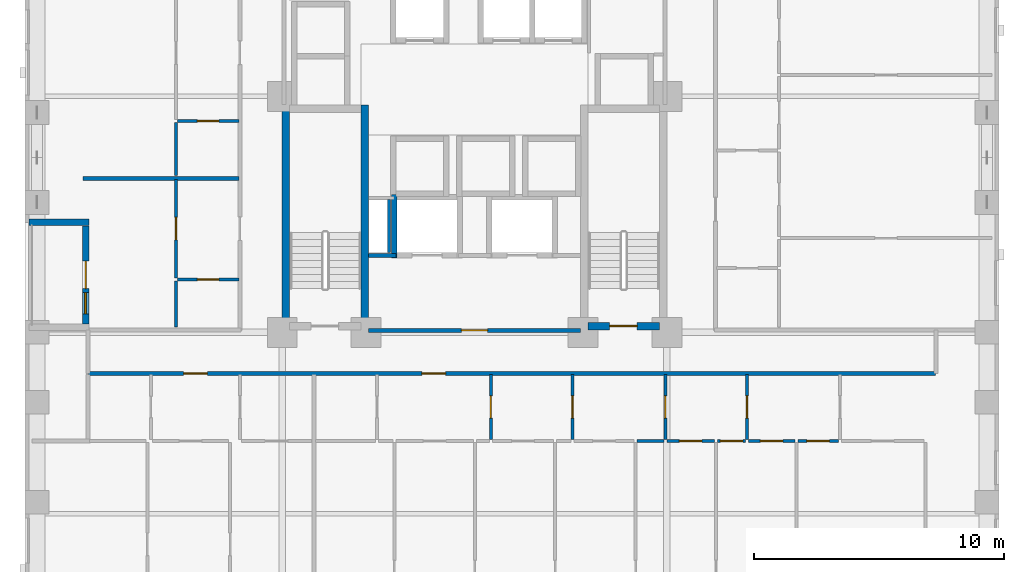
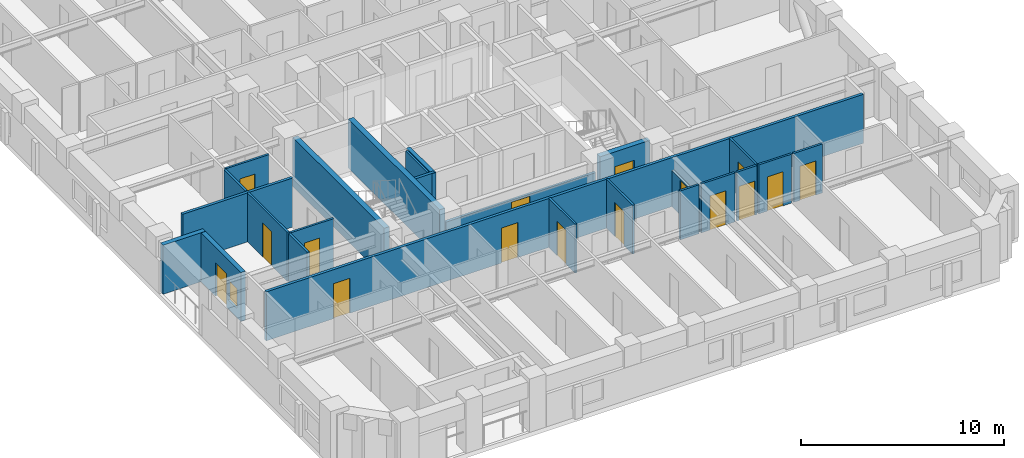
# One storey, part 4 of 14: 25 walls, 16 doors, 1 window, 17 openings.
"""IFC4 building model written with IfcOpenShell, lengths in metres."""

from ifc_helpers import new_model, si_unit, derived_unit, direction, frame, frame_2d, origin, place, context, subcontext, project, spatial, rectangle, extrude, material, layer, layer_set, type_object, element, fill, save


model = new_model("IFC4")

# Units and contexts
model_context = context("Model", 3, precision=1e-05, world=origin(), true_north=direction((0.0, 1.0)))
body_context = subcontext(model_context, "Body", "Model", "MODEL_VIEW")
ifc_project = project(units=[si_unit("LENGTHUNIT", "METRE"), si_unit("AREAUNIT", "SQUARE_METRE"), si_unit("VOLUMEUNIT", "CUBIC_METRE"), si_unit("PLANEANGLEUNIT", "RADIAN"), si_unit("MASSUNIT", "GRAM", prefix="KILO"), derived_unit("THERMALTRANSMITTANCEUNIT", [(si_unit("MASSUNIT", "GRAM", prefix="KILO"), 1), (si_unit("TIMEUNIT", "SECOND"), -3), (si_unit("THERMODYNAMICTEMPERATUREUNIT", "KELVIN"), -1)])], contexts=[model_context])

# Site, building, storey
site_placement = place(None, origin())
site = spatial("IfcSite", under=ifc_project, at=site_placement, CompositionType="ELEMENT")
building_placement = place(site_placement, origin())
building = spatial("IfcBuilding", under=site, at=building_placement, Name="Korrvale Station Residences", CompositionType="ELEMENT")
storey_placement = place(building_placement, frame((0.0, 0.0, 45.0)))
storey = spatial("IfcBuildingStorey", under=building, at=storey_placement, Name="L11", CompositionType="ELEMENT", Elevation=45.0)

# Walls
ifc_material_1 = material(Name="Concrete C70/85", Category="concrete")
ifc_layer_1 = layer(ifc_material_1, 0.300048828125, Name="Concrete C70/85")
ifc_layer_set_1 = layer_set([ifc_layer_1], Name="Concrete C70/85")
wall_type_1 = type_object("IfcWallType", Name="WAL-CORE-300-C70", PredefinedType="SHEAR", material=ifc_layer_set_1)
for number, where, z_axis, x_axis, name in (
    (1, (17.949951171875, 15.10009765625, 0.0), (0.0, 0.0, 1.0), (0.0, 1.0, 0.0), "L11 ST-1 Core Shear Wall West"),
    (2, (21.10009765625, 15.10009765625, 0.0), (0.0, 0.0, 1.0), (0.0, 1.0, 0.0), "L11 ST-1 Core Shear Wall East"),
):
    element("IfcWall", number, at=place(storey_placement, frame(where, z_axis=z_axis, x_axis=x_axis)), inside=storey, type_object=wall_type_1, Name=name, PredefinedType="SHEAR", context=body_context, shape_type="SweptSolid", body=[
        extrude(rectangle(XDim=9.0, YDim=0.300048828125, at=frame_2d((4.5, 0.0))), origin(), (0.0, 0.0, 1.0), 2.93994140625),
    ])

# Wall, opening, door
wall_1_placement = place(storey_placement, frame((30.050048828125, 15.25, 0.0), z_axis=(0.0, 0.0, 1.0), x_axis=(1.0, 0.0, 0.0)))
wall_1 = element("IfcWall", 3, at=wall_1_placement, inside=storey, type_object=wall_type_1, Name="L11 ST-2 Core Shear Wall South", PredefinedType="SHEAR", context=body_context, shape_type="SweptSolid", body=[
    extrude(rectangle(XDim=2.849853515625, YDim=0.300048828125, at=frame_2d((1.4248046875, 0.0))), origin(), (0.0, 0.0, 1.0), 2.93994140625),
])
opening_1_placement = place(wall_1_placement, frame((0.860107421875, 0.0, 0.0)))
opening_1 = element("IfcOpeningElement", 4, at=opening_1_placement, cuts=wall_1, Name="Opening SD-1100", PredefinedType="OPENING", context=body_context, shape_type="SweptSolid", body=[
    extrude(rectangle(XDim=1.10009765625, YDim=2.050048828125, at=frame_2d((0.550048828125, 1.02490234375))), frame((0.0, 0.16015625, 0.0), z_axis=(0.0, -1.0, 0.0), x_axis=(1.0, 0.0, 0.0)), (0.0, 0.0, 1.0), 0.320068359375),
])
ifc_material_2 = material(Name="Hollow-metal fire-rated stair door with closer", Category="steel")
door_type_1 = type_object("IfcDoorType", Name="DR-STAIR-1100", OperationType="NOTDEFINED", PredefinedType="DOOR", material=ifc_material_2)
door_1_placement = place(opening_1_placement, origin())
door_1 = element("IfcDoor", 5, at=door_1_placement, inside=storey, type_object=door_type_1, Name="L11 ST-2 Exit Stair Door", OperationType="SINGLE_SWING_RIGHT", OverallHeight=2.050048828125, OverallWidth=1.10009765625, PredefinedType="DOOR", context=body_context, shape_type="SweptSolid", body=[
    extrude(rectangle(XDim=1.10009765625, YDim=2.050048828125, at=frame_2d((0.550048828125, 1.02490234375))), frame((0.0, 0.02490234375, 0.0), z_axis=(0.0, -1.0, 0.0), x_axis=(1.0, 0.0, 0.0)), (0.0, 0.0, 1.0), 0.050048828125),
])
fill(opening_1, door_1)

# Wall, openings, door, window
ifc_material_3 = material(Name="Precast concrete C45/55", Category="concrete")
ifc_layer_2 = layer(ifc_material_3, 0.260009765625, Name="Precast concrete C45/55")
ifc_layer_set_2 = layer_set([ifc_layer_2], Name="Precast concrete C45/55")
wall_type_2 = type_object("IfcWallType", Name="WAL-EXT-LOG260", PredefinedType="SOLIDWALL", material=ifc_layer_set_2)
wall_2_placement = place(storey_placement, frame((9.929931640625, 15.333984375, 0.0), z_axis=(0.0, 0.0, 1.0), x_axis=(0.0, 1.0, 0.0)))
wall_2 = element("IfcWall", 6, at=wall_2_placement, inside=storey, type_object=wall_type_2, Name="L11 Recessed Loggia Wall BAL-L11-W1-B", PredefinedType="SOLIDWALL", context=body_context, shape_type="SweptSolid", body=[
    extrude(rectangle(XDim=3.93212890625, YDim=0.260009765625, at=frame_2d((1.966064453125, 0.0))), origin(), (0.0, 0.0, 1.0), 2.93994140625),
])
opening_2_placement = place(wall_2_placement, frame((1.416015625, 0.0, 0.0)))
opening_2 = element("IfcOpeningElement", 7, at=opening_2_placement, cuts=wall_2, Name="Opening BD-01", PredefinedType="OPENING", context=body_context, shape_type="SweptSolid", body=[
    extrude(rectangle(XDim=1.10009765625, YDim=2.0, at=frame_2d((0.550048828125, 1.0))), frame((0.0, 0.14013671875, 0.0), z_axis=(0.0, -1.0, 0.0), x_axis=(1.0, 0.0, 0.0)), (0.0, 0.0, 1.0), 0.280029296875),
])
opening_3_placement = place(wall_2_placement, frame((0.406005859375, 0.0, 0.550048828125)))
opening_3 = element("IfcOpeningElement", 8, at=opening_3_placement, cuts=wall_2, Name="Opening W-11", PredefinedType="OPENING", context=body_context, shape_type="SweptSolid", body=[
    extrude(rectangle(XDim=0.85009765625, YDim=1.199951171875, at=frame_2d((0.425048828125, 0.60009765625))), frame((0.0, 0.14013671875, 0.0), z_axis=(0.0, -1.0, 0.0), x_axis=(1.0, 0.0, 0.0)), (0.0, 0.0, 1.0), 0.280029296875),
])
ifc_material_4 = material(Name="Exterior thermally broken aluminium glazed balcony door", Category="aluminium")
door_type_2 = type_object("IfcDoorType", Name="DR-EXT-BAL", OperationType="NOTDEFINED", PredefinedType="DOOR", material=ifc_material_4)
door_2_placement = place(opening_2_placement, origin())
door_2 = element("IfcDoor", 9, at=door_2_placement, inside=storey, type_object=door_type_2, Name="L11 Loggia Balcony Door BAL-L11-W1", OperationType="SINGLE_SWING_RIGHT", OverallHeight=2.0, OverallWidth=1.10009765625, PredefinedType="DOOR", context=body_context, shape_type="SweptSolid", body=[
    extrude(rectangle(XDim=1.10009765625, YDim=2.0, at=frame_2d((0.550048828125, 1.0))), frame((0.0, 0.02490234375, 0.0), z_axis=(0.0, -1.0, 0.0), x_axis=(1.0, 0.0, 0.0)), (0.0, 0.0, 1.0), 0.050048828125),
])
fill(opening_2, door_2)
ifc_material_5 = material(Name="Thermally broken aluminium frame with triple low-e glazing", Category="aluminium")
window_type = type_object("IfcWindowType", Name="WIN-W11", PartitioningType="SINGLE_PANEL", PredefinedType="WINDOW", material=ifc_material_5)
window_placement = place(opening_3_placement, origin())
window = element("IfcWindow", 10, at=window_placement, inside=storey, type_object=window_type, Name="L11 Punched Window 25", OverallHeight=1.199951171875, OverallWidth=0.85009765625, PartitioningType="SINGLE_PANEL", PredefinedType="WINDOW", context=body_context, shape_type="SweptSolid", body=[
    extrude(rectangle(XDim=0.85009765625, YDim=1.199951171875, at=frame_2d((0.425048828125, 0.60009765625))), frame((0.0, 0.030029296875, 0.0), z_axis=(0.0, -1.0, 0.0), x_axis=(1.0, 0.0, 0.0)), (0.0, 0.0, 1.0), 0.06005859375),
])
fill(opening_3, window)

# Walls
wall_3_placement = place(storey_placement, frame((10.06005859375, 19.39990234375, 0.0), z_axis=(0.0, 0.0, 1.0), x_axis=(-1.0, 0.0, 0.0)))
element("IfcWall", 11, at=wall_3_placement, inside=storey, type_object=wall_type_2, Name="L11 Recessed Loggia Wall BAL-L11-W1-R", PredefinedType="SOLIDWALL", context=body_context, shape_type="SweptSolid", body=[
    extrude(rectangle(XDim=2.400146484375, YDim=0.260009765625, at=frame_2d((1.2001953125, 0.0))), origin(), (0.0, 0.0, 1.0), 2.93994140625),
])
ifc_material_6 = material(Name="Acoustic steel-stud gypsum board partition", Category="steel")
ifc_layer_3 = layer(ifc_material_6, 0.1201171875, Name="Acoustic steel-stud gypsum board partition")
ifc_layer_set_3 = layer_set([ifc_layer_3], Name="Acoustic steel-stud gypsum board partition")
wall_type_3 = type_object("IfcWallType", Name="WAL-PART-125", PredefinedType="PARTITIONING", material=ifc_layer_set_3)
wall_4_placement = place(storey_placement, frame((22.080078125, 18.199951171875, 0.0), z_axis=(0.0, 0.0, 1.0), x_axis=(0.0, 1.0, 0.0)))
element("IfcWall", 12, at=wall_4_placement, inside=storey, type_object=wall_type_3, Name="L11 Core Partition CW-RSWT", PredefinedType="PARTITIONING", context=body_context, shape_type="SweptSolid", body=[
    extrude(rectangle(XDim=2.1201171875, YDim=0.1201171875, at=frame_2d((1.06005859375, 0.0))), origin(), (0.0, 0.0, 1.0), 2.93994140625),
])

# Wall, opening, door
wall_5_placement = place(storey_placement, frame((26.14990234375, 10.7099609375, 0.0), z_axis=(0.0, 0.0, 1.0), x_axis=(0.0, 1.0, 0.0)))
wall_5 = element("IfcWall", 13, at=wall_5_placement, inside=storey, type_object=wall_type_3, Name="L11 Suite Partition U02-V12", PredefinedType="PARTITIONING", context=body_context, shape_type="SweptSolid", body=[
    extrude(rectangle(XDim=2.60009765625, YDim=0.1201171875, at=frame_2d((1.300048828125, 0.0))), origin(), (0.0, 0.0, 1.0), 2.93994140625),
])
opening_4_placement = place(wall_5_placement, frame((0.85009765625, 0.0, 0.0)))
opening_4 = element("IfcOpeningElement", 14, at=opening_4_placement, cuts=wall_5, Name="Opening DI-900", PredefinedType="OPENING", context=body_context, shape_type="SweptSolid", body=[
    extrude(rectangle(XDim=0.89990234375, YDim=2.050048828125, at=frame_2d((0.449951171875, 1.02490234375))), frame((0.0, 0.070068359375, 0.0), z_axis=(0.0, -1.0, 0.0), x_axis=(1.0, 0.0, 0.0)), (0.0, 0.0, 1.0), 0.14013671875),
])
ifc_material_7 = material(Name="Painted solid-core timber interior room door", Category="wood")
door_type_3 = type_object("IfcDoorType", Name="DR-INT-900", OperationType="NOTDEFINED", PredefinedType="DOOR", material=ifc_material_7)
door_3_placement = place(opening_4_placement, origin())
door_3 = element("IfcDoor", 15, at=door_3_placement, inside=storey, type_object=door_type_3, Name="L11 Studio Apartment L11-U02 Kitchen Door", OperationType="SINGLE_SWING_RIGHT", OverallHeight=2.050048828125, OverallWidth=0.89990234375, PredefinedType="DOOR", context=body_context, shape_type="SweptSolid", body=[
    extrude(rectangle(XDim=0.89990234375, YDim=2.050048828125, at=frame_2d((0.449951171875, 1.02490234375))), frame((0.0, 0.02490234375, 0.0), z_axis=(0.0, -1.0, 0.0), x_axis=(1.0, 0.0, 0.0)), (0.0, 0.0, 1.0), 0.050048828125),
])
fill(opening_4, door_3)

wall_6_placement = place(storey_placement, frame((29.419921875, 10.7099609375, 0.0), z_axis=(0.0, 0.0, 1.0), x_axis=(0.0, 1.0, 0.0)))
wall_6 = element("IfcWall", 16, at=wall_6_placement, inside=storey, type_object=wall_type_3, Name="L11 Suite Partition U02-V23", PredefinedType="PARTITIONING", context=body_context, shape_type="SweptSolid", body=[
    extrude(rectangle(XDim=2.60009765625, YDim=0.1201171875, at=frame_2d((1.300048828125, 0.0))), origin(), (0.0, 0.0, 1.0), 2.93994140625),
])
opening_5_placement = place(wall_6_placement, frame((0.85009765625, 0.0, 0.0)))
opening_5 = element("IfcOpeningElement", 17, at=opening_5_placement, cuts=wall_6, Name="Opening DI-900", PredefinedType="OPENING", context=body_context, shape_type="SweptSolid", body=[
    extrude(rectangle(XDim=0.89990234375, YDim=2.050048828125, at=frame_2d((0.449951171875, 1.02490234375))), frame((0.0, 0.070068359375, 0.0), z_axis=(0.0, -1.0, 0.0), x_axis=(1.0, 0.0, 0.0)), (0.0, 0.0, 1.0), 0.14013671875),
])
door_4_placement = place(opening_5_placement, origin())
door_4 = element("IfcDoor", 18, at=door_4_placement, inside=storey, type_object=door_type_3, Name="L11 Studio Apartment L11-U02 Utility and Laundry Room Door", OperationType="SINGLE_SWING_RIGHT", OverallHeight=2.050048828125, OverallWidth=0.89990234375, PredefinedType="DOOR", context=body_context, shape_type="SweptSolid", body=[
    extrude(rectangle(XDim=0.89990234375, YDim=2.050048828125, at=frame_2d((0.449951171875, 1.02490234375))), frame((0.0, 0.02490234375, 0.0), z_axis=(0.0, -1.0, 0.0), x_axis=(1.0, 0.0, 0.0)), (0.0, 0.0, 1.0), 0.050048828125),
])
fill(opening_5, door_4)

wall_7_placement = place(storey_placement, frame((33.139892578125, 10.7099609375, 0.0), z_axis=(0.0, 0.0, 1.0), x_axis=(0.0, 1.0, 0.0)))
wall_7 = element("IfcWall", 19, at=wall_7_placement, inside=storey, type_object=wall_type_3, Name="L11 Suite Partition U02-V34", PredefinedType="PARTITIONING", context=body_context, shape_type="SweptSolid", body=[
    extrude(rectangle(XDim=2.60009765625, YDim=0.1201171875, at=frame_2d((1.300048828125, 0.0))), origin(), (0.0, 0.0, 1.0), 2.155029296875),
])
opening_6_placement = place(wall_7_placement, frame((0.85009765625, 0.0, 0.0)))
opening_6 = element("IfcOpeningElement", 20, at=opening_6_placement, cuts=wall_7, Name="Opening DI-900", PredefinedType="OPENING", context=body_context, shape_type="SweptSolid", body=[
    extrude(rectangle(XDim=0.89990234375, YDim=2.050048828125, at=frame_2d((0.449951171875, 1.02490234375))), frame((0.0, 0.070068359375, 0.0), z_axis=(0.0, -1.0, 0.0), x_axis=(1.0, 0.0, 0.0)), (0.0, 0.0, 1.0), 0.14013671875),
])
door_5_placement = place(opening_6_placement, origin())
door_5 = element("IfcDoor", 21, at=door_5_placement, inside=storey, type_object=door_type_3, Name="L11 Studio Apartment L11-U02 Storage Closet 2 Door", OperationType="SINGLE_SWING_RIGHT", OverallHeight=2.050048828125, OverallWidth=0.89990234375, PredefinedType="DOOR", context=body_context, shape_type="SweptSolid", body=[
    extrude(rectangle(XDim=0.89990234375, YDim=2.050048828125, at=frame_2d((0.449951171875, 1.02490234375))), frame((0.0, 0.02490234375, 0.0), z_axis=(0.0, -1.0, 0.0), x_axis=(1.0, 0.0, 0.0)), (0.0, 0.0, 1.0), 0.050048828125),
])
fill(opening_6, door_5)

# Wall
wall_8_placement = place(storey_placement, frame((32.010009765625, 10.64990234375, 0.0), z_axis=(0.0, 0.0, 1.0), x_axis=(1.0, 0.0, 0.0)))
element("IfcWall", 22, at=wall_8_placement, inside=storey, type_object=wall_type_3, Name="L11 Suite Partition U02-H311", PredefinedType="PARTITIONING", context=body_context, shape_type="SweptSolid", body=[
    extrude(rectangle(XDim=1.070068359375, YDim=0.1201171875, at=frame_2d((0.53515625, 0.0))), origin(), (0.0, 0.0, 1.0), 2.93994140625),
])

# Wall, opening, door
wall_9_placement = place(storey_placement, frame((36.409912109375, 10.7099609375, 0.0), z_axis=(0.0, 0.0, 1.0), x_axis=(0.0, 1.0, 0.0)))
wall_9 = element("IfcWall", 23, at=wall_9_placement, inside=storey, type_object=wall_type_3, Name="L11 Suite Partition U02-V45", PredefinedType="PARTITIONING", context=body_context, shape_type="SweptSolid", body=[
    extrude(rectangle(XDim=2.60009765625, YDim=0.1201171875, at=frame_2d((1.300048828125, 0.0))), origin(), (0.0, 0.0, 1.0), 2.93994140625),
])
opening_7_placement = place(wall_9_placement, frame((0.85009765625, 0.0, 0.0)))
opening_7 = element("IfcOpeningElement", 24, at=opening_7_placement, cuts=wall_9, Name="Opening DI-900", PredefinedType="OPENING", context=body_context, shape_type="SweptSolid", body=[
    extrude(rectangle(XDim=0.89990234375, YDim=2.050048828125, at=frame_2d((0.449951171875, 1.02490234375))), frame((0.0, 0.070068359375, 0.0), z_axis=(0.0, -1.0, 0.0), x_axis=(1.0, 0.0, 0.0)), (0.0, 0.0, 1.0), 0.14013671875),
])
door_6_placement = place(opening_7_placement, origin())
door_6 = element("IfcDoor", 25, at=door_6_placement, inside=storey, type_object=door_type_3, Name="L11 Studio Apartment L11-U02 Storage Closet 3 Door", OperationType="SINGLE_SWING_RIGHT", OverallHeight=2.050048828125, OverallWidth=0.89990234375, PredefinedType="DOOR", context=body_context, shape_type="SweptSolid", body=[
    extrude(rectangle(XDim=0.89990234375, YDim=2.050048828125, at=frame_2d((0.449951171875, 1.02490234375))), frame((0.0, 0.02490234375, 0.0), z_axis=(0.0, -1.0, 0.0), x_axis=(1.0, 0.0, 0.0)), (0.0, 0.0, 1.0), 0.050048828125),
])
fill(opening_7, door_6)

wall_10_placement = place(storey_placement, frame((33.199951171875, 10.64990234375, 0.0), z_axis=(0.0, 0.0, 1.0), x_axis=(1.0, 0.0, 0.0)))
wall_10 = element("IfcWall", 26, at=wall_10_placement, inside=storey, type_object=wall_type_3, Name="L11 Suite Partition U02-H411", PredefinedType="PARTITIONING", context=body_context, shape_type="SweptSolid", body=[
    extrude(rectangle(XDim=1.91015625, YDim=0.1201171875, at=frame_2d((0.955078125, 0.0))), origin(), (0.0, 0.0, 1.0), 2.93994140625),
])
opening_8_placement = place(wall_10_placement, frame((0.5048828125, 0.0, 0.0)))
opening_8 = element("IfcOpeningElement", 27, at=opening_8_placement, cuts=wall_10, Name="Opening DI-900", PredefinedType="OPENING", context=body_context, shape_type="SweptSolid", body=[
    extrude(rectangle(XDim=0.89990234375, YDim=2.050048828125, at=frame_2d((0.449951171875, 1.02490234375))), frame((0.0, 0.070068359375, 0.0), z_axis=(0.0, -1.0, 0.0), x_axis=(1.0, 0.0, 0.0)), (0.0, 0.0, 1.0), 0.14013671875),
])
door_7_placement = place(opening_8_placement, origin())
door_7 = element("IfcDoor", 28, at=door_7_placement, inside=storey, type_object=door_type_3, Name="L11 Studio Apartment L11-U02 Storage Closet 3 Door", OperationType="SINGLE_SWING_LEFT", OverallHeight=2.050048828125, OverallWidth=0.89990234375, PredefinedType="DOOR", context=body_context, shape_type="SweptSolid", body=[
    extrude(rectangle(XDim=0.89990234375, YDim=2.050048828125, at=frame_2d((0.449951171875, 1.02490234375))), frame((0.0, 0.02490234375, 0.0), z_axis=(0.0, -1.0, 0.0), x_axis=(1.0, 0.0, 0.0)), (0.0, 0.0, 1.0), 0.050048828125),
])
fill(opening_8, door_7)

wall_11_placement = place(storey_placement, frame((35.22998046875, 10.64990234375, 0.0), z_axis=(0.0, 0.0, 1.0), x_axis=(1.0, 0.0, 0.0)))
wall_11 = element("IfcWall", 29, at=wall_11_placement, inside=storey, type_object=wall_type_3, Name="L11 Suite Partition U02-H412", PredefinedType="PARTITIONING", context=body_context, shape_type="SweptSolid", body=[
    extrude(rectangle(XDim=1.1201171875, YDim=0.1201171875, at=frame_2d((0.56005859375, 0.0))), origin(), (0.0, 0.0, 1.0), 2.93994140625),
])
opening_9_placement = place(wall_11_placement, frame((0.110107421875, 0.0, 0.0)))
opening_9 = element("IfcOpeningElement", 30, at=opening_9_placement, cuts=wall_11, Name="Opening DI-900", PredefinedType="OPENING", context=body_context, shape_type="SweptSolid", body=[
    extrude(rectangle(XDim=0.89990234375, YDim=2.050048828125, at=frame_2d((0.449951171875, 1.02490234375))), frame((0.0, 0.070068359375, 0.0), z_axis=(0.0, -1.0, 0.0), x_axis=(1.0, 0.0, 0.0)), (0.0, 0.0, 1.0), 0.14013671875),
])
door_8_placement = place(opening_9_placement, origin())
door_8 = element("IfcDoor", 31, at=door_8_placement, inside=storey, type_object=door_type_3, Name="L11 Studio Apartment L11-U02 Storage Closet 3 Door", OperationType="SINGLE_SWING_RIGHT", OverallHeight=2.050048828125, OverallWidth=0.89990234375, PredefinedType="DOOR", context=body_context, shape_type="SweptSolid", body=[
    extrude(rectangle(XDim=0.89990234375, YDim=2.050048828125, at=frame_2d((0.449951171875, 1.02490234375))), frame((0.0, 0.02490234375, 0.0), z_axis=(0.0, -1.0, 0.0), x_axis=(1.0, 0.0, 0.0)), (0.0, 0.0, 1.0), 0.050048828125),
])
fill(opening_9, door_8)

wall_12_placement = place(storey_placement, frame((36.469970703125, 10.64990234375, 0.0), z_axis=(0.0, 0.0, 1.0), x_axis=(1.0, 0.0, 0.0)))
wall_12 = element("IfcWall", 32, at=wall_12_placement, inside=storey, type_object=wall_type_3, Name="L11 Suite Partition U02-H512", PredefinedType="PARTITIONING", context=body_context, shape_type="SweptSolid", body=[
    extrude(rectangle(XDim=1.860107421875, YDim=0.1201171875, at=frame_2d((0.93017578125, 0.0))), origin(), (0.0, 0.0, 1.0), 2.93994140625),
])
opening_10_placement = place(wall_12_placement, frame((0.47998046875, 0.0, 0.0)))
opening_10 = element("IfcOpeningElement", 33, at=opening_10_placement, cuts=wall_12, Name="Opening DI-900", PredefinedType="OPENING", context=body_context, shape_type="SweptSolid", body=[
    extrude(rectangle(XDim=0.89990234375, YDim=2.050048828125, at=frame_2d((0.449951171875, 1.02490234375))), frame((0.0, 0.070068359375, 0.0), z_axis=(0.0, -1.0, 0.0), x_axis=(1.0, 0.0, 0.0)), (0.0, 0.0, 1.0), 0.14013671875),
])
door_9_placement = place(opening_10_placement, origin())
door_9 = element("IfcDoor", 34, at=door_9_placement, inside=storey, type_object=door_type_3, Name="L11 Studio Apartment L11-U02 Storage Closet 4 Door", OperationType="SINGLE_SWING_RIGHT", OverallHeight=2.050048828125, OverallWidth=0.89990234375, PredefinedType="DOOR", context=body_context, shape_type="SweptSolid", body=[
    extrude(rectangle(XDim=0.89990234375, YDim=2.050048828125, at=frame_2d((0.449951171875, 1.02490234375))), frame((0.0, 0.02490234375, 0.0), z_axis=(0.0, -1.0, 0.0), x_axis=(1.0, 0.0, 0.0)), (0.0, 0.0, 1.0), 0.050048828125),
])
fill(opening_10, door_9)

wall_13_placement = place(storey_placement, frame((38.449951171875, 10.64990234375, 0.0), z_axis=(0.0, 0.0, 1.0), x_axis=(1.0, 0.0, 0.0)))
wall_13 = element("IfcWall", 35, at=wall_13_placement, inside=storey, type_object=wall_type_3, Name="L11 Suite Partition U02-H513", PredefinedType="PARTITIONING", context=body_context, shape_type="SweptSolid", body=[
    extrude(rectangle(XDim=1.6201171875, YDim=0.1201171875, at=frame_2d((0.81005859375, 0.0))), origin(), (0.0, 0.0, 1.0), 2.93994140625),
])
opening_11_placement = place(wall_13_placement, frame((0.360107421875, 0.0, 0.0)))
opening_11 = element("IfcOpeningElement", 36, at=opening_11_placement, cuts=wall_13, Name="Opening DI-900", PredefinedType="OPENING", context=body_context, shape_type="SweptSolid", body=[
    extrude(rectangle(XDim=0.89990234375, YDim=2.050048828125, at=frame_2d((0.449951171875, 1.02490234375))), frame((0.0, 0.070068359375, 0.0), z_axis=(0.0, -1.0, 0.0), x_axis=(1.0, 0.0, 0.0)), (0.0, 0.0, 1.0), 0.14013671875),
])
door_10_placement = place(opening_11_placement, origin())
door_10 = element("IfcDoor", 37, at=door_10_placement, inside=storey, type_object=door_type_3, Name="L11 Studio Apartment L11-U02 Storage Closet 4 Door", OperationType="SINGLE_SWING_LEFT", OverallHeight=2.050048828125, OverallWidth=0.89990234375, PredefinedType="DOOR", context=body_context, shape_type="SweptSolid", body=[
    extrude(rectangle(XDim=0.89990234375, YDim=2.050048828125, at=frame_2d((0.449951171875, 1.02490234375))), frame((0.0, 0.02490234375, 0.0), z_axis=(0.0, -1.0, 0.0), x_axis=(1.0, 0.0, 0.0)), (0.0, 0.0, 1.0), 0.050048828125),
])
fill(opening_11, door_10)

wall_14_placement = place(storey_placement, frame((13.610107421875, 17.1201171875, 0.0), z_axis=(0.0, 0.0, 1.0), x_axis=(1.0, 0.0, 0.0)))
wall_14 = element("IfcWall", 38, at=wall_14_placement, inside=storey, type_object=wall_type_3, Name="L11 Suite Partition U04-H01", PredefinedType="PARTITIONING", context=body_context, shape_type="SweptSolid", body=[
    extrude(rectangle(XDim=2.449951171875, YDim=0.1201171875, at=frame_2d((1.22509765625, 0.0))), origin(), (0.0, 0.0, 1.0), 2.93994140625),
])
opening_12_placement = place(wall_14_placement, frame((0.794921875, 0.0, 0.0)))
opening_12 = element("IfcOpeningElement", 39, at=opening_12_placement, cuts=wall_14, Name="Opening DB-860", PredefinedType="OPENING", context=body_context, shape_type="SweptSolid", body=[
    extrude(rectangle(XDim=0.860107421875, YDim=2.050048828125, at=frame_2d((0.43017578125, 1.02490234375))), frame((0.0, 0.070068359375, 0.0), z_axis=(0.0, -1.0, 0.0), x_axis=(1.0, 0.0, 0.0)), (0.0, 0.0, 1.0), 0.14013671875),
])
ifc_material_8 = material(Name="Moisture-resistant solid-core bathroom door", Category="timber")
door_type_4 = type_object("IfcDoorType", Name="DR-BATH-860", OperationType="NOTDEFINED", PredefinedType="DOOR", material=ifc_material_8)
door_11_placement = place(opening_12_placement, origin())
door_11 = element("IfcDoor", 40, at=door_11_placement, inside=storey, type_object=door_type_4, Name="L11 Studio Apartment L11-U04 Bathroom Door", OperationType="SINGLE_SWING_LEFT", OverallHeight=2.050048828125, OverallWidth=0.860107421875, PredefinedType="DOOR", context=body_context, shape_type="SweptSolid", body=[
    extrude(rectangle(XDim=0.860107421875, YDim=2.050048828125, at=frame_2d((0.43017578125, 1.02490234375))), frame((0.0, 0.02490234375, 0.0), z_axis=(0.0, -1.0, 0.0), x_axis=(1.0, 0.0, 0.0)), (0.0, 0.0, 1.0), 0.050048828125),
])
fill(opening_12, door_11)

# Wall
wall_15_placement = place(storey_placement, frame((13.550048828125, 15.2099609375, 0.0), z_axis=(0.0, 0.0, 1.0), x_axis=(0.0, 1.0, 0.0)))
element("IfcWall", 41, at=wall_15_placement, inside=storey, type_object=wall_type_3, Name="L11 Suite Partition U04-V02", PredefinedType="PARTITIONING", context=body_context, shape_type="SweptSolid", body=[
    extrude(rectangle(XDim=1.85009765625, YDim=0.1201171875, at=frame_2d((0.925048828125, 0.0))), origin(), (0.0, 0.0, 1.0), 2.93994140625),
])

# Wall, opening, door
wall_16_placement = place(storey_placement, frame((13.550048828125, 17.179931640625, 0.0), z_axis=(0.0, 0.0, 1.0), x_axis=(0.0, 1.0, 0.0)))
wall_16 = element("IfcWall", 42, at=wall_16_placement, inside=storey, type_object=wall_type_3, Name="L11 Suite Partition U04-V12", PredefinedType="PARTITIONING", context=body_context, shape_type="SweptSolid", body=[
    extrude(rectangle(XDim=3.946044921875, YDim=0.1201171875, at=frame_2d((1.97314453125, 0.0))), origin(), (0.0, 0.0, 1.0), 2.93994140625),
])
opening_13_placement = place(wall_16_placement, frame((1.52294921875, 0.0, 0.0)))
opening_13 = element("IfcOpeningElement", 43, at=opening_13_placement, cuts=wall_16, Name="Opening DI-900", PredefinedType="OPENING", context=body_context, shape_type="SweptSolid", body=[
    extrude(rectangle(XDim=0.89990234375, YDim=2.050048828125, at=frame_2d((0.449951171875, 1.02490234375))), frame((0.0, 0.070068359375, 0.0), z_axis=(0.0, -1.0, 0.0), x_axis=(1.0, 0.0, 0.0)), (0.0, 0.0, 1.0), 0.14013671875),
])
door_12_placement = place(opening_13_placement, origin())
door_12 = element("IfcDoor", 44, at=door_12_placement, inside=storey, type_object=door_type_3, Name="L11 Studio Apartment L11-U04 Kitchen Door", OperationType="SINGLE_SWING_RIGHT", OverallHeight=2.050048828125, OverallWidth=0.89990234375, PredefinedType="DOOR", context=body_context, shape_type="SweptSolid", body=[
    extrude(rectangle(XDim=0.89990234375, YDim=2.050048828125, at=frame_2d((0.449951171875, 1.02490234375))), frame((0.0, 0.02490234375, 0.0), z_axis=(0.0, -1.0, 0.0), x_axis=(1.0, 0.0, 0.0)), (0.0, 0.0, 1.0), 0.050048828125),
])
fill(opening_13, door_12)

wall_17_placement = place(storey_placement, frame((13.610107421875, 23.467041015625, 0.0), z_axis=(0.0, 0.0, 1.0), x_axis=(1.0, 0.0, 0.0)))
wall_17 = element("IfcWall", 45, at=wall_17_placement, inside=storey, type_object=wall_type_3, Name="L11 Suite Partition U05-H01", PredefinedType="PARTITIONING", context=body_context, shape_type="SweptSolid", body=[
    extrude(rectangle(XDim=2.449951171875, YDim=0.1201171875, at=frame_2d((1.22509765625, 0.0))), origin(), (0.0, 0.0, 1.0), 2.93994140625),
])
opening_14_placement = place(wall_17_placement, frame((0.794921875, 0.0, 0.0)))
opening_14 = element("IfcOpeningElement", 46, at=opening_14_placement, cuts=wall_17, Name="Opening DB-860", PredefinedType="OPENING", context=body_context, shape_type="SweptSolid", body=[
    extrude(rectangle(XDim=0.860107421875, YDim=2.050048828125, at=frame_2d((0.43017578125, 1.02490234375))), frame((0.0, 0.070068359375, 0.0), z_axis=(0.0, -1.0, 0.0), x_axis=(1.0, 0.0, 0.0)), (0.0, 0.0, 1.0), 0.14013671875),
])
door_13_placement = place(opening_14_placement, origin())
door_13 = element("IfcDoor", 47, at=door_13_placement, inside=storey, type_object=door_type_4, Name="L11 Studio Apartment L11-U05 Bathroom Door", OperationType="SINGLE_SWING_LEFT", OverallHeight=2.050048828125, OverallWidth=0.860107421875, PredefinedType="DOOR", context=body_context, shape_type="SweptSolid", body=[
    extrude(rectangle(XDim=0.860107421875, YDim=2.050048828125, at=frame_2d((0.43017578125, 1.02490234375))), frame((0.0, 0.02490234375, 0.0), z_axis=(0.0, -1.0, 0.0), x_axis=(1.0, 0.0, 0.0)), (0.0, 0.0, 1.0), 0.050048828125),
])
fill(opening_14, door_13)

# Wall
wall_18_placement = place(storey_placement, frame((13.550048828125, 21.285888671875, 0.0), z_axis=(0.0, 0.0, 1.0), x_axis=(0.0, 1.0, 0.0)))
element("IfcWall", 48, at=wall_18_placement, inside=storey, type_object=wall_type_3, Name="L11 Suite Partition U05-V02", PredefinedType="PARTITIONING", context=body_context, shape_type="SweptSolid", body=[
    extrude(rectangle(XDim=2.12109375, YDim=0.1201171875, at=frame_2d((1.060546875, 0.0))), origin(), (0.0, 0.0, 1.0), 2.93994140625),
])

# Wall, opening, door
ifc_material_9 = material(Name="Fire-rated twin-stud gypsum and mineral wool shaftwall assembly", Category="gypsum")
ifc_layer_4 = layer(ifc_material_9, 0.159912109375, Name="Fire-rated twin-stud gypsum and mineral wool shaftwall assembly")
ifc_layer_set_4 = layer_set([ifc_layer_4], Name="Fire-rated twin-stud gypsum and mineral wool shaftwall assembly")
wall_type_4 = type_object("IfcWallType", Name="WAL-PART-200", PredefinedType="PARTITIONING", material=ifc_layer_set_4)
wall_19_placement = place(storey_placement, frame((21.25, 15.080078125, 0.0), z_axis=(0.0, 0.0, 1.0), x_axis=(1.0, 0.0, 0.0)))
wall_19 = element("IfcWall", 49, at=wall_19_placement, inside=storey, type_object=wall_type_4, Name="L11 Core Partition CW-FFL-S", PredefinedType="PARTITIONING", context=body_context, shape_type="SweptSolid", body=[
    extrude(rectangle(XDim=8.5, YDim=0.159912109375, at=frame_2d((4.25, 0.0))), origin(), (0.0, 0.0, 1.0), 2.155029296875),
])
opening_15_placement = place(wall_19_placement, frame((3.72509765625, 0.0, 0.0)))
opening_15 = element("IfcOpeningElement", 50, at=opening_15_placement, cuts=wall_19, Name="Opening FD-1050", PredefinedType="OPENING", context=body_context, shape_type="SweptSolid", body=[
    extrude(rectangle(XDim=1.050048828125, YDim=2.050048828125, at=frame_2d((0.52490234375, 1.02490234375))), frame((0.0, 0.08984375, 0.0), z_axis=(0.0, -1.0, 0.0), x_axis=(1.0, 0.0, 0.0)), (0.0, 0.0, 1.0), 0.179931640625),
])
ifc_material_10 = material(Name="Fire-rated mineral-core timber lobby door", Category="wood")
door_type_5 = type_object("IfcDoorType", Name="DR-CORE-1050", OperationType="NOTDEFINED", PredefinedType="DOOR", material=ifc_material_10)
door_14_placement = place(opening_15_placement, origin())
door_14 = element("IfcDoor", 51, at=door_14_placement, inside=storey, type_object=door_type_5, Name="L11 Firefighting Lobby Entry Door", OperationType="SINGLE_SWING_LEFT", OverallHeight=2.050048828125, OverallWidth=1.050048828125, PredefinedType="DOOR", context=body_context, shape_type="SweptSolid", body=[
    extrude(rectangle(XDim=1.050048828125, YDim=2.050048828125, at=frame_2d((0.52490234375, 1.02490234375))), frame((0.0, 0.02490234375, 0.0), z_axis=(0.0, -1.0, 0.0), x_axis=(1.0, 0.0, 0.0)), (0.0, 0.0, 1.0), 0.050048828125),
])
fill(opening_15, door_14)

# Walls
wall_20_placement = place(storey_placement, frame((21.25, 18.080078125, 0.0), z_axis=(0.0, 0.0, 1.0), x_axis=(1.0, 0.0, 0.0)))
element("IfcWall", 52, at=wall_20_placement, inside=storey, type_object=wall_type_4, Name="L11 Core Partition CW-FFL-N1", PredefinedType="PARTITIONING", context=body_context, shape_type="SweptSolid", body=[
    extrude(rectangle(XDim=1.10009765625, YDim=0.159912109375, at=frame_2d((0.550048828125, 0.0))), origin(), (0.0, 0.0, 1.0), 2.93994140625),
])
wall_21_placement = place(storey_placement, frame((9.820068359375, 21.166015625, 0.0), z_axis=(0.0, 0.0, 1.0), x_axis=(1.0, 0.0, 0.0)))
element("IfcWall", 53, at=wall_21_placement, inside=storey, type_object=wall_type_4, Name="L11 Demising Wall U04-N", PredefinedType="PARTITIONING", context=body_context, shape_type="SweptSolid", body=[
    extrude(rectangle(XDim=6.239990234375, YDim=0.159912109375, at=frame_2d((3.1201171875, 0.0))), origin(), (0.0, 0.0, 1.0), 2.93994140625),
])

# Wall, openings, doors
wall_22_placement = place(storey_placement, frame((10.050048828125, 13.35009765625, 0.0), z_axis=(0.0, 0.0, 1.0), x_axis=(1.0, 0.0, 0.0)))
wall_22 = element("IfcWall", 54, at=wall_22_placement, inside=storey, type_object=wall_type_4, Name="L11 Rated Corridor Wall S", PredefinedType="PARTITIONING", context=body_context, shape_type="SweptSolid", body=[
    extrude(rectangle(XDim=33.89990234375, YDim=0.159912109375, at=frame_2d((16.949951171875, 0.0))), origin(), (0.0, 0.0, 1.0), 2.93994140625),
])
opening_16_placement = place(wall_22_placement, frame((3.800048828125, 0.0, 0.0)))
opening_16 = element("IfcOpeningElement", 55, at=opening_16_placement, cuts=wall_22, Name="Opening UD-950", PredefinedType="OPENING", context=body_context, shape_type="SweptSolid", body=[
    extrude(rectangle(XDim=0.949951171875, YDim=2.10009765625, at=frame_2d((0.47509765625, 1.050048828125))), frame((0.0, 0.08984375, 0.0), z_axis=(0.0, -1.0, 0.0), x_axis=(1.0, 0.0, 0.0)), (0.0, 0.0, 1.0), 0.179931640625),
])
opening_17_placement = place(wall_22_placement, frame((13.344970703125, 0.0, 0.0)))
opening_17 = element("IfcOpeningElement", 56, at=opening_17_placement, cuts=wall_22, Name="Opening UD-950", PredefinedType="OPENING", context=body_context, shape_type="SweptSolid", body=[
    extrude(rectangle(XDim=0.949951171875, YDim=2.10009765625, at=frame_2d((0.47509765625, 1.050048828125))), frame((0.0, 0.08984375, 0.0), z_axis=(0.0, -1.0, 0.0), x_axis=(1.0, 0.0, 0.0)), (0.0, 0.0, 1.0), 0.179931640625),
])
ifc_material_11 = material(Name="Solid-core acoustic oak apartment entrance door", Category="timber")
door_type_6 = type_object("IfcDoorType", Name="DR-UNIT-950", OperationType="NOTDEFINED", PredefinedType="DOOR", material=ifc_material_11)
door_15_placement = place(opening_16_placement, origin())
door_15 = element("IfcDoor", 57, at=door_15_placement, inside=storey, type_object=door_type_6, Name="L11 Apartment L11-U01 Entrance Door", OperationType="SINGLE_SWING_RIGHT", OverallHeight=2.10009765625, OverallWidth=0.949951171875, PredefinedType="DOOR", context=body_context, shape_type="SweptSolid", body=[
    extrude(rectangle(XDim=0.949951171875, YDim=2.10009765625, at=frame_2d((0.47509765625, 1.050048828125))), frame((0.0, 0.02490234375, 0.0), z_axis=(0.0, -1.0, 0.0), x_axis=(1.0, 0.0, 0.0)), (0.0, 0.0, 1.0), 0.050048828125),
])
fill(opening_16, door_15)
door_16_placement = place(opening_17_placement, origin())
door_16 = element("IfcDoor", 58, at=door_16_placement, inside=storey, type_object=door_type_6, Name="L11 Apartment L11-U02 Entrance Door", OperationType="SINGLE_SWING_LEFT", OverallHeight=2.10009765625, OverallWidth=0.949951171875, PredefinedType="DOOR", context=body_context, shape_type="SweptSolid", body=[
    extrude(rectangle(XDim=0.949951171875, YDim=2.10009765625, at=frame_2d((0.47509765625, 1.050048828125))), frame((0.0, 0.02490234375, 0.0), z_axis=(0.0, -1.0, 0.0), x_axis=(1.0, 0.0, 0.0)), (0.0, 0.0, 1.0), 0.050048828125),
])
fill(opening_17, door_16)

# Wall
ifc_layer_5 = layer(ifc_material_1, 0.219970703125, Name="Concrete C70/85")
ifc_layer_set_5 = layer_set([ifc_layer_5], Name="Concrete C70/85")
wall_type_5 = type_object("IfcWallType", Name="WAL-SHAFT-220-C70", PredefinedType="SHEAR", material=ifc_layer_set_5)
wall_23_placement = place(storey_placement, frame((22.2900390625, 17.97998046875, 0.0), z_axis=(0.0, 0.0, 1.0), x_axis=(0.0, 1.0, 0.0)))
element("IfcWall", 59, at=wall_23_placement, inside=storey, type_object=wall_type_5, Name="L11 Elevator FFL-1 Hoistway Wall West", PredefinedType="SHEAR", context=body_context, shape_type="SweptSolid", body=[
    extrude(rectangle(XDim=2.5400390625, YDim=0.219970703125, at=frame_2d((1.27001953125, 0.0))), origin(), (0.0, 0.0, 1.0), 2.93994140625),
])

save(model, "model.ifc")
